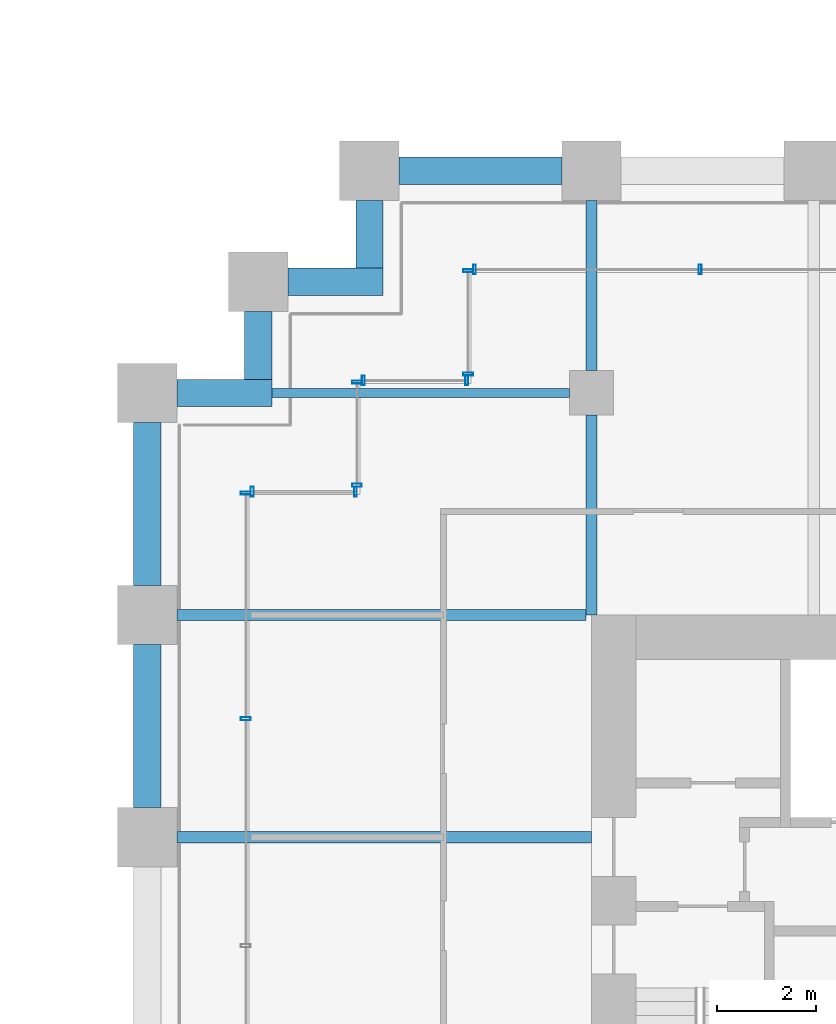
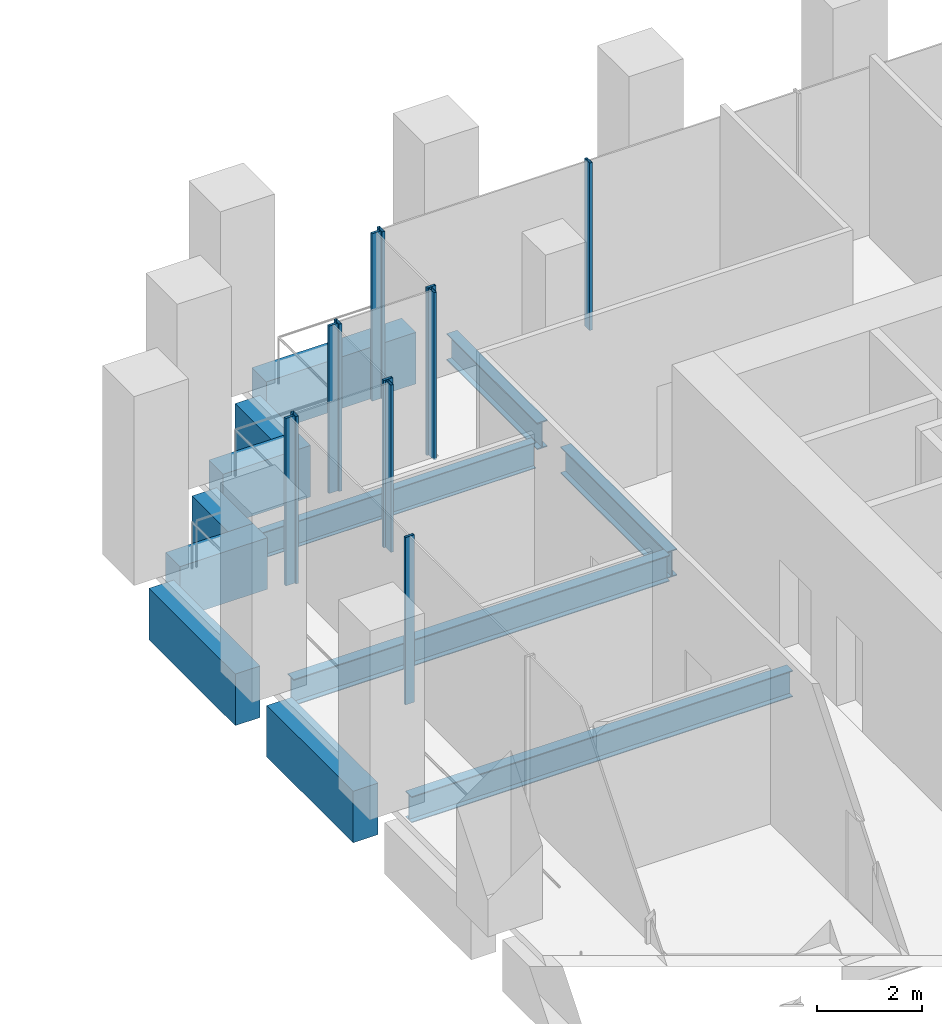
# One storey, part 23 of 36: 12 beams, 12 members, 6 elements without a shape of their own.
"""IFC4 building model written with IfcOpenShell, lengths in metres."""

from ifc_helpers import new_model, si_unit, direction, frame, origin, origin_2d, place, context, subcontext, project, spatial, rectangle, hollow_rectangle, i_section, extrude, material, material_profile, profile_set, type_object, element, aggregate, save


model = new_model("IFC4")

# Units and contexts
model_context = context("Model", 3, precision=1e-05, world=origin(), true_north=direction((0.0, 1.0)))
body_context = subcontext(model_context, "Body", "Model", "MODEL_VIEW")
ifc_project = project(units=[si_unit("LENGTHUNIT", "METRE"), si_unit("AREAUNIT", "SQUARE_METRE"), si_unit("VOLUMEUNIT", "CUBIC_METRE"), si_unit("PLANEANGLEUNIT", "RADIAN"), si_unit("MASSUNIT", "GRAM", prefix="KILO")], contexts=[model_context])

# Site, building, storey
site_placement = place(None, origin())
site = spatial("IfcSite", under=ifc_project, at=site_placement, CompositionType="ELEMENT")
building_placement = place(site_placement, origin())
building = spatial("IfcBuilding", under=site, at=building_placement, Name="Altepetl Exchange Towers", CompositionType="ELEMENT")
storey_placement = place(building_placement, frame((0.0, 0.0, 43.0)))
storey = spatial("IfcBuildingStorey", under=building, at=storey_placement, Name="L09", CompositionType="ELEMENT", Elevation=43.0)

# Beams
ifc_material_1 = material(Name="Steel S355", Category="steel")
ifc_material_profile_1 = material_profile(ifc_material_1, i_section(OverallWidth=0.178955078125, OverallDepth=0.60302734375, WebThickness=0.010986328125, FlangeThickness=0.014892578125, at=origin_2d()), Name="W24X62")
ifc_profile_set_1 = profile_set([ifc_material_profile_1], Name="Steel S355")
beam_type_1 = type_object("IfcBeamType", Name="Floor beam W24X62", PredefinedType="BEAM", material=ifc_profile_set_1)
beam_1_placement = place(storey_placement, frame((97.02490234375, 54.0, -0.4765625), z_axis=(1.0, 0.0, 0.0), x_axis=(0.0, 1.0, 0.0)))
element("IfcBeam", 1, at=beam_1_placement, inside=storey, type_object=beam_type_1, Name="bm:B:L09:015", PredefinedType="BEAM", context=body_context, shape_type="SweptSolid", body=[
    extrude(i_section(OverallWidth=0.178955078125, OverallDepth=0.60302734375, WebThickness=0.010986328125, FlangeThickness=0.014892578125, at=origin_2d()), origin(), (0.0, 0.0, 1.0), 6.025146484375),
])
ifc_material_profile_2 = material_profile(ifc_material_1, i_section(OverallWidth=0.22900390625, OverallDepth=0.612060546875, WebThickness=0.011962890625, FlangeThickness=0.01953125, at=origin_2d()), Name="W24X84")
ifc_profile_set_2 = profile_set([ifc_material_profile_2], Name="Steel S355")
beam_type_2 = type_object("IfcBeamType", Name="Floor beam W24X84", PredefinedType="BEAM", material=ifc_profile_set_2)
beam_2_placement = place(storey_placement, frame((95.10009765625, 45.0, -0.48095703125), z_axis=(1.0, 0.0, 0.0), x_axis=(0.0, 1.0, 0.0)))
element("IfcBeam", 2, at=beam_2_placement, inside=storey, type_object=beam_type_2, Name="bm:B:L09:013", PredefinedType="BEAM", context=body_context, shape_type="SweptSolid", body=[
    extrude(i_section(OverallWidth=0.22900390625, OverallDepth=0.612060546875, WebThickness=0.011962890625, FlangeThickness=0.01953125, at=origin_2d()), origin(), (0.0, 0.0, 1.0), 8.39990234375),
])
beam_3_placement = place(storey_placement, frame((95.10009765625, 49.5, -0.48095703125), z_axis=(1.0, 0.0, 0.0), x_axis=(0.0, 1.0, 0.0)))
element("IfcBeam", 3, at=beam_3_placement, inside=storey, type_object=beam_type_2, Name="bm:B:L09:014", PredefinedType="BEAM", context=body_context, shape_type="SweptSolid", body=[
    extrude(i_section(OverallWidth=0.22900390625, OverallDepth=0.612060546875, WebThickness=0.011962890625, FlangeThickness=0.01953125, at=origin_2d()), origin(), (0.0, 0.0, 1.0), 8.284912109375),
])
ifc_material_profile_3 = material_profile(ifc_material_1, i_section(OverallWidth=0.22900390625, OverallDepth=0.623046875, WebThickness=0.013916015625, FlangeThickness=0.02490234375, at=origin_2d()), Name="W24X103")
ifc_profile_set_3 = profile_set([ifc_material_profile_3], Name="Steel S355")
beam_type_3 = type_object("IfcBeamType", Name="Girder W24X103", PredefinedType="BEAM", material=ifc_profile_set_3)
beam_4_placement = place(storey_placement, frame((103.5, 57.89990234375, -0.486572265625), z_axis=(0.0, -1.0, 0.0), x_axis=(1.0, 0.0, 0.0)))
element("IfcBeam", 4, at=beam_4_placement, inside=storey, type_object=beam_type_3, Name="gd:B:L09:002", PredefinedType="BEAM", context=body_context, shape_type="SweptSolid", body=[
    extrude(i_section(OverallWidth=0.22900390625, OverallDepth=0.623046875, WebThickness=0.013916015625, FlangeThickness=0.02490234375, at=origin_2d()), origin(), (0.0, 0.0, 1.0), 3.449951171875),
])
beam_5_placement = place(storey_placement, frame((103.5, 53.550048828125, -0.486572265625), z_axis=(0.0, -1.0, 0.0), x_axis=(1.0, 0.0, 0.0)))
element("IfcBeam", 5, at=beam_5_placement, inside=storey, type_object=beam_type_3, Name="gd:B:L09:003", PredefinedType="BEAM", context=body_context, shape_type="SweptSolid", body=[
    extrude(i_section(OverallWidth=0.22900390625, OverallDepth=0.623046875, WebThickness=0.013916015625, FlangeThickness=0.02490234375, at=origin_2d()), origin(), (0.0, 0.0, 1.0), 4.050048828125),
])

# Curtain wall, members
ifc_material_2 = material(Name="Aluminium 6063-T6 glazing", Category="aluminium")
curtain_wall_type = type_object("IfcCurtainWallType", Name="Trading floor glazing system", PredefinedType="NOTDEFINED", material=ifc_material_2)
curtain_wall_1_placement = place(storey_placement, origin())
curtain_wall_1 = element("IfcCurtainWall", 6, at=curtain_wall_1_placement, inside=storey, type_object=curtain_wall_type, Name="CW2 run", PredefinedType="NOTDEFINED")
ifc_material_3 = material(Name="Aluminium 6063-T6", Category="aluminium")
ifc_material_profile_4 = material_profile(ifc_material_3, hollow_rectangle(XDim=0.06005859375, YDim=0.199951171875, WallThickness=0.0029296875, at=origin_2d()), Name="Mullion 60x200 aluminium")
ifc_profile_set_4 = profile_set([ifc_material_profile_4], Name="Aluminium 6063-T6")
member_type = type_object("IfcMemberType", Name="Mullion 60x200 aluminium", PredefinedType="MULLION", material=ifc_profile_set_4)
member_1_placement = place(storey_placement, frame((98.719970703125, 52.0, 0.0), z_axis=(0.0, 0.0, 1.0), x_axis=(-1.0, 0.0, 0.0)))
member_1 = element("IfcMember", 7, at=member_1_placement, type_object=member_type, Name="MU2 mullion", PredefinedType="MULLION", context=body_context, shape_type="SweptSolid", body=[
    extrude(hollow_rectangle(XDim=0.06005859375, YDim=0.199951171875, WallThickness=0.0029296875, at=origin_2d()), origin(), (0.0, 0.0, 1.0), 3.89990234375),
])
member_2_placement = place(storey_placement, frame((96.6298828125, 52.0, 0.0), z_axis=(0.0, 0.0, 1.0), x_axis=(-1.0, 0.0, 0.0)))
member_2 = element("IfcMember", 8, at=member_2_placement, type_object=member_type, Name="MU2 mullion", PredefinedType="MULLION", context=body_context, shape_type="SweptSolid", body=[
    extrude(hollow_rectangle(XDim=0.06005859375, YDim=0.199951171875, WallThickness=0.0029296875, at=origin_2d()), origin(), (0.0, 0.0, 1.0), 3.89990234375),
])
aggregate(curtain_wall_1, [member_1, member_2])

curtain_wall_2_placement = place(storey_placement, origin())
curtain_wall_2 = element("IfcCurtainWall", 9, at=curtain_wall_2_placement, inside=storey, type_object=curtain_wall_type, Name="CW2 run", PredefinedType="NOTDEFINED")
member_3_placement = place(storey_placement, frame((96.5, 51.969970703125, 0.0), z_axis=(0.0, 0.0, 1.0), x_axis=(0.0, -1.0, 0.0)))
member_3 = element("IfcMember", 10, at=member_3_placement, type_object=member_type, Name="MU2 mullion", PredefinedType="MULLION", context=body_context, shape_type="SweptSolid", body=[
    extrude(hollow_rectangle(XDim=0.06005859375, YDim=0.199951171875, WallThickness=0.0029296875, at=origin_2d()), origin(), (0.0, 0.0, 1.0), 3.89990234375),
])
member_4_placement = place(storey_placement, frame((96.5, 47.39990234375, 0.0), z_axis=(0.0, 0.0, 1.0), x_axis=(0.0, -1.0, 0.0)))
member_4 = element("IfcMember", 11, at=member_4_placement, type_object=member_type, Name="MU2 mullion", PredefinedType="MULLION", context=body_context, shape_type="SweptSolid", body=[
    extrude(hollow_rectangle(XDim=0.06005859375, YDim=0.199951171875, WallThickness=0.0029296875, at=origin_2d()), origin(), (0.0, 0.0, 1.0), 3.89990234375),
])
aggregate(curtain_wall_2, [member_3, member_4])

curtain_wall_3_placement = place(storey_placement, origin())
curtain_wall_3 = element("IfcCurtainWall", 12, at=curtain_wall_3_placement, inside=storey, type_object=curtain_wall_type, Name="CW2 run", PredefinedType="NOTDEFINED")
member_5_placement = place(storey_placement, frame((105.699951171875, 56.5, 0.0), z_axis=(0.0, 0.0, 1.0), x_axis=(-1.0, 0.0, 0.0)))
member_5 = element("IfcMember", 13, at=member_5_placement, type_object=member_type, Name="MU2 mullion", PredefinedType="MULLION", context=body_context, shape_type="SweptSolid", body=[
    extrude(hollow_rectangle(XDim=0.06005859375, YDim=0.199951171875, WallThickness=0.0029296875, at=origin_2d()), origin(), (0.0, 0.0, 1.0), 3.89990234375),
])
member_6_placement = place(storey_placement, frame((101.1298828125, 56.5, 0.0), z_axis=(0.0, 0.0, 1.0), x_axis=(-1.0, 0.0, 0.0)))
member_6 = element("IfcMember", 14, at=member_6_placement, type_object=member_type, Name="MU2 mullion", PredefinedType="MULLION", context=body_context, shape_type="SweptSolid", body=[
    extrude(hollow_rectangle(XDim=0.06005859375, YDim=0.199951171875, WallThickness=0.0029296875, at=origin_2d()), origin(), (0.0, 0.0, 1.0), 3.89990234375),
])
aggregate(curtain_wall_3, [member_5, member_6])

curtain_wall_4_placement = place(storey_placement, origin())
curtain_wall_4 = element("IfcCurtainWall", 15, at=curtain_wall_4_placement, inside=storey, type_object=curtain_wall_type, Name="CW2 run", PredefinedType="NOTDEFINED")
member_7_placement = place(storey_placement, frame((101.0, 56.469970703125, 0.0), z_axis=(0.0, 0.0, 1.0), x_axis=(0.0, -1.0, 0.0)))
member_7 = element("IfcMember", 16, at=member_7_placement, type_object=member_type, Name="MU2 mullion", PredefinedType="MULLION", context=body_context, shape_type="SweptSolid", body=[
    extrude(hollow_rectangle(XDim=0.06005859375, YDim=0.199951171875, WallThickness=0.0029296875, at=origin_2d()), origin(), (0.0, 0.0, 1.0), 3.89990234375),
])
member_8_placement = place(storey_placement, frame((101.0, 54.3798828125, 0.0), z_axis=(0.0, 0.0, 1.0), x_axis=(0.0, -1.0, 0.0)))
member_8 = element("IfcMember", 17, at=member_8_placement, type_object=member_type, Name="MU2 mullion", PredefinedType="MULLION", context=body_context, shape_type="SweptSolid", body=[
    extrude(hollow_rectangle(XDim=0.06005859375, YDim=0.199951171875, WallThickness=0.0029296875, at=origin_2d()), origin(), (0.0, 0.0, 1.0), 3.89990234375),
])
aggregate(curtain_wall_4, [member_7, member_8])

curtain_wall_5_placement = place(storey_placement, origin())
curtain_wall_5 = element("IfcCurtainWall", 18, at=curtain_wall_5_placement, inside=storey, type_object=curtain_wall_type, Name="CW2 run", PredefinedType="NOTDEFINED")
member_9_placement = place(storey_placement, frame((100.969970703125, 54.25, 0.0), z_axis=(0.0, 0.0, 1.0), x_axis=(-1.0, 0.0, 0.0)))
member_9 = element("IfcMember", 19, at=member_9_placement, type_object=member_type, Name="MU2 mullion", PredefinedType="MULLION", context=body_context, shape_type="SweptSolid", body=[
    extrude(hollow_rectangle(XDim=0.06005859375, YDim=0.199951171875, WallThickness=0.0029296875, at=origin_2d()), origin(), (0.0, 0.0, 1.0), 3.89990234375),
])
member_10_placement = place(storey_placement, frame((98.8798828125, 54.25, 0.0), z_axis=(0.0, 0.0, 1.0), x_axis=(-1.0, 0.0, 0.0)))
member_10 = element("IfcMember", 20, at=member_10_placement, type_object=member_type, Name="MU2 mullion", PredefinedType="MULLION", context=body_context, shape_type="SweptSolid", body=[
    extrude(hollow_rectangle(XDim=0.06005859375, YDim=0.199951171875, WallThickness=0.0029296875, at=origin_2d()), origin(), (0.0, 0.0, 1.0), 3.89990234375),
])
aggregate(curtain_wall_5, [member_9, member_10])

curtain_wall_6_placement = place(storey_placement, origin())
curtain_wall_6 = element("IfcCurtainWall", 21, at=curtain_wall_6_placement, inside=storey, type_object=curtain_wall_type, Name="CW2 run", PredefinedType="NOTDEFINED")
member_11_placement = place(storey_placement, frame((98.75, 54.219970703125, 0.0), z_axis=(0.0, 0.0, 1.0), x_axis=(0.0, -1.0, 0.0)))
member_11 = element("IfcMember", 22, at=member_11_placement, type_object=member_type, Name="MU2 mullion", PredefinedType="MULLION", context=body_context, shape_type="SweptSolid", body=[
    extrude(hollow_rectangle(XDim=0.06005859375, YDim=0.199951171875, WallThickness=0.0029296875, at=origin_2d()), origin(), (0.0, 0.0, 1.0), 3.89990234375),
])
member_12_placement = place(storey_placement, frame((98.75, 52.1298828125, 0.0), z_axis=(0.0, 0.0, 1.0), x_axis=(0.0, -1.0, 0.0)))
member_12 = element("IfcMember", 23, at=member_12_placement, type_object=member_type, Name="MU2 mullion", PredefinedType="MULLION", context=body_context, shape_type="SweptSolid", body=[
    extrude(hollow_rectangle(XDim=0.06005859375, YDim=0.199951171875, WallThickness=0.0029296875, at=origin_2d()), origin(), (0.0, 0.0, 1.0), 3.89990234375),
])
aggregate(curtain_wall_6, [member_11, member_12])

# Beams
ifc_material_4 = material(Name="Concrete C50/60 precast with cantera rosa facing", Category="concrete")
ifc_material_profile_5 = material_profile(ifc_material_4, rectangle(XDim=0.550048828125, YDim=1.199951171875, at=origin_2d()), Name="550 x 1200")
ifc_profile_set_5 = profile_set([ifc_material_profile_5], Name="Concrete C50/60 precast with cantera rosa facing")
beam_type_4 = type_object("IfcBeamType", Name="Spandrel beam 550x1200 cantera rosa", PredefinedType="SPANDREL", material=ifc_profile_set_5)
beam_6_placement = place(storey_placement, frame((102.89990234375, 58.5, -0.77490234375), z_axis=(-1.0, 0.0, 0.0), x_axis=(0.0, -1.0, 0.0)))
element("IfcBeam", 24, at=beam_6_placement, inside=storey, type_object=beam_type_4, Name="sp:B:L09:022", PredefinedType="SPANDREL", context=body_context, shape_type="SweptSolid", body=[
    extrude(rectangle(XDim=0.550048828125, YDim=1.199951171875, at=origin_2d()), origin(), (0.0, 0.0, 1.0), 3.2998046875),
])
beam_7_placement = place(storey_placement, frame((99.0, 57.89990234375, -0.77490234375), z_axis=(0.0, -1.0, 0.0), x_axis=(1.0, 0.0, 0.0)))
element("IfcBeam", 25, at=beam_7_placement, inside=storey, type_object=beam_type_4, Name="sp:B:L09:023", PredefinedType="SPANDREL", context=body_context, shape_type="SweptSolid", body=[
    extrude(rectangle(XDim=0.550048828125, YDim=1.199951171875, at=origin_2d()), origin(), (0.0, 0.0, 1.0), 1.375),
])
beam_8_placement = place(storey_placement, frame((99.27490234375, 56.25, -0.77490234375), z_axis=(-1.0, 0.0, 0.0), x_axis=(0.0, -1.0, 0.0)))
element("IfcBeam", 26, at=beam_8_placement, inside=storey, type_object=beam_type_4, Name="sp:B:L09:024", PredefinedType="SPANDREL", context=body_context, shape_type="SweptSolid", body=[
    extrude(rectangle(XDim=0.550048828125, YDim=1.199951171875, at=origin_2d()), origin(), (0.0, 0.0, 1.0), 1.9248046875),
])
beam_9_placement = place(storey_placement, frame((96.75, 55.64990234375, -0.77490234375), z_axis=(0.0, -1.0, 0.0), x_axis=(1.0, 0.0, 0.0)))
element("IfcBeam", 27, at=beam_9_placement, inside=storey, type_object=beam_type_4, Name="sp:B:L09:025", PredefinedType="SPANDREL", context=body_context, shape_type="SweptSolid", body=[
    extrude(rectangle(XDim=0.550048828125, YDim=1.199951171875, at=origin_2d()), origin(), (0.0, 0.0, 1.0), 1.375),
])
beam_10_placement = place(storey_placement, frame((97.02490234375, 54.0, -0.77490234375), z_axis=(-1.0, 0.0, 0.0), x_axis=(0.0, -1.0, 0.0)))
element("IfcBeam", 28, at=beam_10_placement, inside=storey, type_object=beam_type_4, Name="sp:B:L09:026", PredefinedType="SPANDREL", context=body_context, shape_type="SweptSolid", body=[
    extrude(rectangle(XDim=0.550048828125, YDim=1.199951171875, at=origin_2d()), origin(), (0.0, 0.0, 1.0), 1.9248046875),
])
for number, where, z_axis, x_axis, name in (
    (29, (94.5, 53.39990234375, -0.77490234375), (0.0, -1.0, 0.0), (1.0, 0.0, 0.0), "sp:B:L09:027"),
    (30, (94.5, 48.89990234375, -0.77490234375), (0.0, -1.0, 0.0), (1.0, 0.0, 0.0), "sp:B:L09:028"),
):
    element("IfcBeam", number, at=place(storey_placement, frame(where, z_axis=z_axis, x_axis=x_axis)), inside=storey, type_object=beam_type_4, Name=name, PredefinedType="SPANDREL", context=body_context, shape_type="SweptSolid", body=[
        extrude(rectangle(XDim=0.550048828125, YDim=1.199951171875, at=origin_2d()), origin(), (0.0, 0.0, 1.0), 3.2998046875),
    ])

save(model, "model.ifc")
